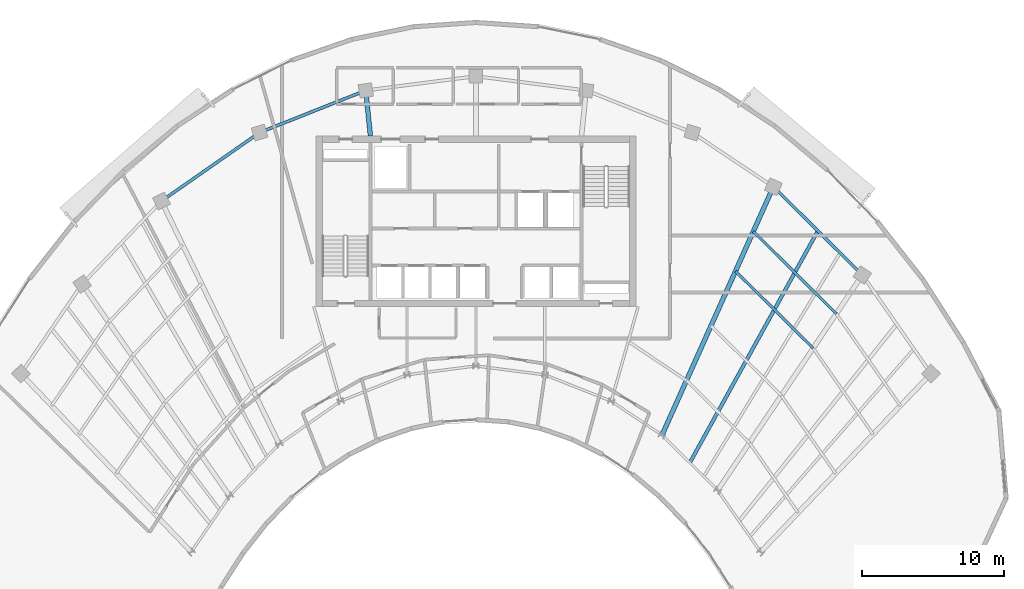
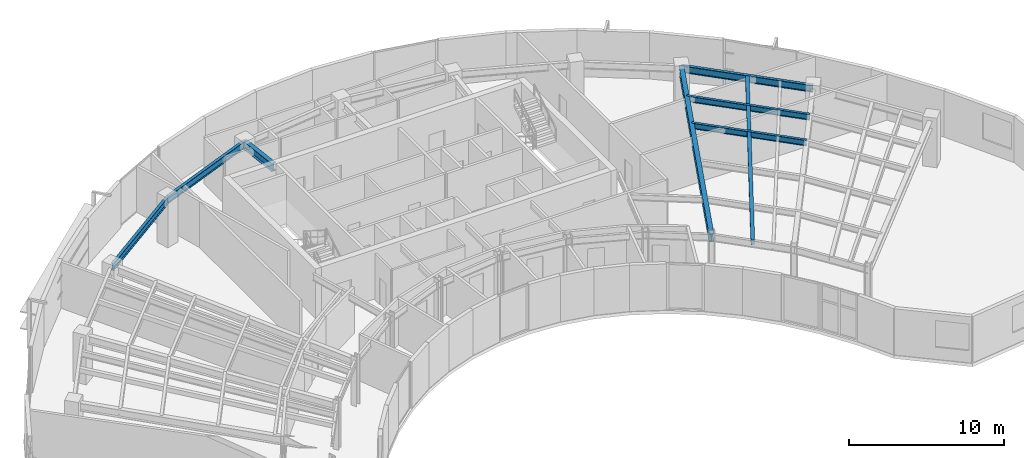
# One storey, part 4 of 14: 8 beams.
"""IFC4 building model written with IfcOpenShell, lengths in metres."""

from ifc_helpers import new_model, si_unit, direction, frame, origin, origin_2d, place, context, subcontext, project, spatial, hollow_rectangle, i_section, extrude, source, transform, mapped, material, material_profile, profile_set, type_object, element, save


model = new_model("IFC4")

# Units and contexts
model_context = context("Model", 3, precision=1e-05, world=origin(), true_north=direction((0.0, 1.0)))
body_context = subcontext(model_context, "Body", "Model", "MODEL_VIEW")
ifc_project = project(units=[si_unit("LENGTHUNIT", "METRE"), si_unit("AREAUNIT", "SQUARE_METRE"), si_unit("VOLUMEUNIT", "CUBIC_METRE"), si_unit("PLANEANGLEUNIT", "RADIAN"), si_unit("MASSUNIT", "GRAM", prefix="KILO")], contexts=[model_context])

# Site, building, storey
site_placement = place(None, origin())
site = spatial("IfcSite", under=ifc_project, at=site_placement, CompositionType="ELEMENT")
building_placement = place(site_placement, origin())
building = spatial("IfcBuilding", under=site, at=building_placement, Name="Breltana Convention Tower", CompositionType="ELEMENT")
storey_placement = place(building_placement, frame((0.0, 0.0, 219.60009765625)))
storey = spatial("IfcBuildingStorey", under=building, at=storey_placement, Name="L53", CompositionType="ELEMENT", Elevation=219.60009765625)

# Beams
ifc_material = material(Name="Steel ASTM A992 Grade 50", Category="steel")
ifc_material_profile_1 = material_profile(ifc_material, i_section(OverallWidth=0.19091796875, OverallDepth=0.4599609375, WebThickness=0.010009765625, FlangeThickness=0.01611328125, at=origin_2d()), Name="W18X55")
ifc_profile_set_1 = profile_set([ifc_material_profile_1], Name="Steel ASTM A992 Grade 50")
beam_type_1 = type_object("IfcBeamType", Name="BM-JSG-07", PredefinedType="JOIST", material=ifc_profile_set_1)
shared_shape_1 = source(origin(), body_context, "Body", "SweptSolid", [
    extrude(i_section(OverallWidth=0.19091796875, OverallDepth=0.4599609375, WebThickness=0.010009765625, FlangeThickness=0.01611328125, at=origin_2d()), origin(), (0.0, 0.0, 1.0), 7.688720703125),
])
beam_1_placement = place(storey_placement, frame((66.248779296875, 62.697265625, 3.409912109375), z_axis=(0.710101109809, -0.704099718682, 0.0), x_axis=(0.704099718682, 0.710101109809, 0.0)))
element("IfcBeam", 1, at=beam_1_placement, inside=storey, type_object=beam_type_1, Name="L53 Composite Floor Joist 09.3", PredefinedType="JOIST", context=body_context, shape_type="MappedRepresentation", body=[
    mapped(shared_shape_1, transform((0.0, 0.0, 0.0), scale=1.0)),
])
shared_shape_2 = source(origin(), body_context, "Body", "SweptSolid", [
    extrude(i_section(OverallWidth=0.19091796875, OverallDepth=0.4599609375, WebThickness=0.010009765625, FlangeThickness=0.01611328125, at=origin_2d()), origin(), (0.0, 0.0, 1.0), 8.21630859375),
])
beam_2_placement = place(storey_placement, frame((67.50146484375, 65.49072265625, 3.409912109375), z_axis=(0.710101511063, -0.704099314008, 0.0), x_axis=(0.704099314008, 0.710101511063, 0.0)))
element("IfcBeam", 2, at=beam_2_placement, inside=storey, type_object=beam_type_1, Name="L53 Composite Floor Joist 09.4", PredefinedType="JOIST", context=body_context, shape_type="MappedRepresentation", body=[
    mapped(shared_shape_2, transform((0.0, 0.0, 0.0), scale=1.0)),
])
ifc_material_profile_2 = material_profile(ifc_material, hollow_rectangle(XDim=0.25, YDim=0.35009765625, WallThickness=0.011962890625, at=origin_2d()), Name="RHS350X250X12")
ifc_profile_set_2 = profile_set([ifc_material_profile_2], Name="Steel ASTM A992 Grade 50")
beam_type_2 = type_object("IfcBeamType", Name="BM-JSG-12", PredefinedType="JOIST", material=ifc_profile_set_2)
shared_shape_3 = source(origin(), body_context, "Body", "SweptSolid", [
    extrude(hollow_rectangle(XDim=0.25, YDim=0.35009765625, WallThickness=0.011962890625, at=origin_2d()), origin(), (0.0, 0.0, 1.0), 18.617431640625),
])
beam_3_placement = place(storey_placement, frame((63.038818359375, 49.234130859375, 3.46484375), z_axis=(0.483405602507, 0.875396495004, 0.0), x_axis=(-0.875396495004, 0.483405602507, 0.0)))
element("IfcBeam", 3, at=beam_3_placement, inside=storey, type_object=beam_type_2, Name="L53 Mid-Bay Radial Trimmer 09", PredefinedType="JOIST", context=body_context, shape_type="MappedRepresentation", body=[
    mapped(shared_shape_3, transform((0.0, 0.0, 0.0), scale=1.0)),
])
ifc_material_profile_3 = material_profile(ifc_material, i_section(OverallWidth=0.326904296875, OverallDepth=0.6220703125, WebThickness=0.015380859375, FlangeThickness=0.0244140625, at=origin_2d()), Name="W24X131")
ifc_profile_set_3 = profile_set([ifc_material_profile_3], Name="Steel ASTM A992 Grade 50")
beam_type_3 = type_object("IfcBeamType", Name="BM-RG-W24X131", PredefinedType="USERDEFINED", material=ifc_profile_set_3)
shared_shape_4 = source(origin(), body_context, "Body", "SweptSolid", [
    extrude(i_section(OverallWidth=0.326904296875, OverallDepth=0.6220703125, WebThickness=0.015380859375, FlangeThickness=0.0244140625, at=origin_2d()), origin(), (0.0, 0.0, 1.0), 3.220947265625),
])
beam_4_placement = place(storey_placement, frame((40.580078125, 72.199951171875, 3.328857421875), z_axis=(-0.101492254858, 0.994836329355, 0.0), x_axis=(-0.994836329355, -0.101492254858, 0.0)))
element("IfcBeam", 4, at=beam_4_placement, inside=storey, type_object=beam_type_3, Name="L53 North Core Radial Girder R05", ObjectType="GIRDER", PredefinedType="USERDEFINED", context=body_context, shape_type="MappedRepresentation", body=[
    mapped(shared_shape_4, transform((0.0, 0.0, 0.0), scale=1.0)),
])
shared_shape_5 = source(origin(), body_context, "Body", "SweptSolid", [
    extrude(i_section(OverallWidth=0.326904296875, OverallDepth=0.6220703125, WebThickness=0.015380859375, FlangeThickness=0.0244140625, at=origin_2d()), origin(), (0.0, 0.0, 1.0), 19.133544921875),
])
beam_5_placement = place(storey_placement, frame((61.08203125, 51.174560546875, 3.328857421875), z_axis=(0.409144564164, 0.912469575172, 0.0), x_axis=(-0.912469575172, 0.409144564164, 0.0)))
element("IfcBeam", 5, at=beam_5_placement, inside=storey, type_object=beam_type_3, Name="L53 Radial Floor Girder R09", ObjectType="GIRDER", PredefinedType="USERDEFINED", context=body_context, shape_type="MappedRepresentation", body=[
    mapped(shared_shape_5, transform((0.0, 0.0, 0.0), scale=1.0)),
])
ifc_material_profile_4 = material_profile(ifc_material, i_section(OverallWidth=0.214111328125, OverallDepth=0.549072265625, WebThickness=0.0146484375, FlangeThickness=0.023681640625, at=origin_2d()), Name="W21X93")
ifc_profile_set_4 = profile_set([ifc_material_profile_4], Name="Steel ASTM A992 Grade 50")
beam_type_4 = type_object("IfcBeamType", Name="BM-SP-W21X93", PredefinedType="SPANDREL", material=ifc_profile_set_4)
shared_shape_6 = source(origin(), body_context, "Body", "SweptSolid", [
    extrude(i_section(OverallWidth=0.214111328125, OverallDepth=0.549072265625, WebThickness=0.0146484375, FlangeThickness=0.023681640625, at=origin_2d()), origin(), (0.0, 0.0, 1.0), 8.4169921875),
])
beam_6_placement = place(storey_placement, frame((25.8876953125, 67.626953125, 3.365478515625), z_axis=(0.820173800102, 0.572114444519, 0.0), x_axis=(-0.572114444519, 0.820173800102, 0.0)))
element("IfcBeam", 6, at=beam_6_placement, inside=storey, type_object=beam_type_4, Name="L53 Outer Spandrel Beam 03", PredefinedType="SPANDREL", context=body_context, shape_type="MappedRepresentation", body=[
    mapped(shared_shape_6, transform((0.0, 0.0, 0.0), scale=1.0)),
])
shared_shape_7 = source(origin(), body_context, "Body", "SweptSolid", [
    extrude(i_section(OverallWidth=0.214111328125, OverallDepth=0.549072265625, WebThickness=0.0146484375, FlangeThickness=0.023681640625, at=origin_2d()), origin(), (0.0, 0.0, 1.0), 8.028564453125),
])
beam_7_placement = place(storey_placement, frame((32.791015625, 72.4423828125, 3.365478515625), z_axis=(0.929459100394, 0.368925169507, 0.0), x_axis=(-0.368925169507, 0.929459100394, 0.0)))
element("IfcBeam", 7, at=beam_7_placement, inside=storey, type_object=beam_type_4, Name="L53 Outer Spandrel Beam 04", PredefinedType="SPANDREL", context=body_context, shape_type="MappedRepresentation", body=[
    mapped(shared_shape_7, transform((0.0, 0.0, 0.0), scale=1.0)),
])
shared_shape_8 = source(origin(), body_context, "Body", "SweptSolid", [
    extrude(i_section(OverallWidth=0.214111328125, OverallDepth=0.549072265625, WebThickness=0.0146484375, FlangeThickness=0.023681640625, at=origin_2d()), origin(), (0.0, 0.0, 1.0), 8.810302734375),
])
beam_8_placement = place(storey_placement, frame((68.910400390625, 68.63330078125, 3.365478515625), z_axis=(0.710120823582, -0.704079836322, 0.0), x_axis=(0.704079836322, 0.710120823582, 0.0)))
element("IfcBeam", 8, at=beam_8_placement, inside=storey, type_object=beam_type_4, Name="L53 Outer Spandrel Beam 09", PredefinedType="SPANDREL", context=body_context, shape_type="MappedRepresentation", body=[
    mapped(shared_shape_8, transform((0.0, 0.0, 0.0), scale=1.0)),
])

save(model, "model.ifc")
